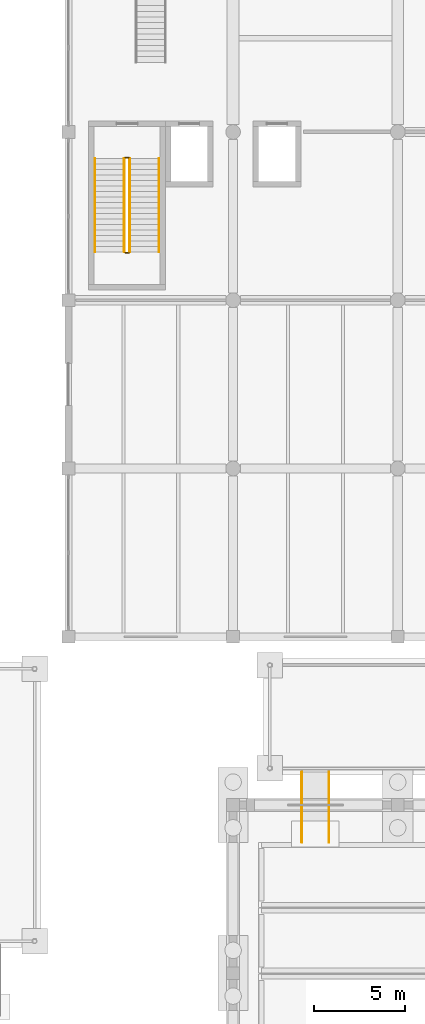
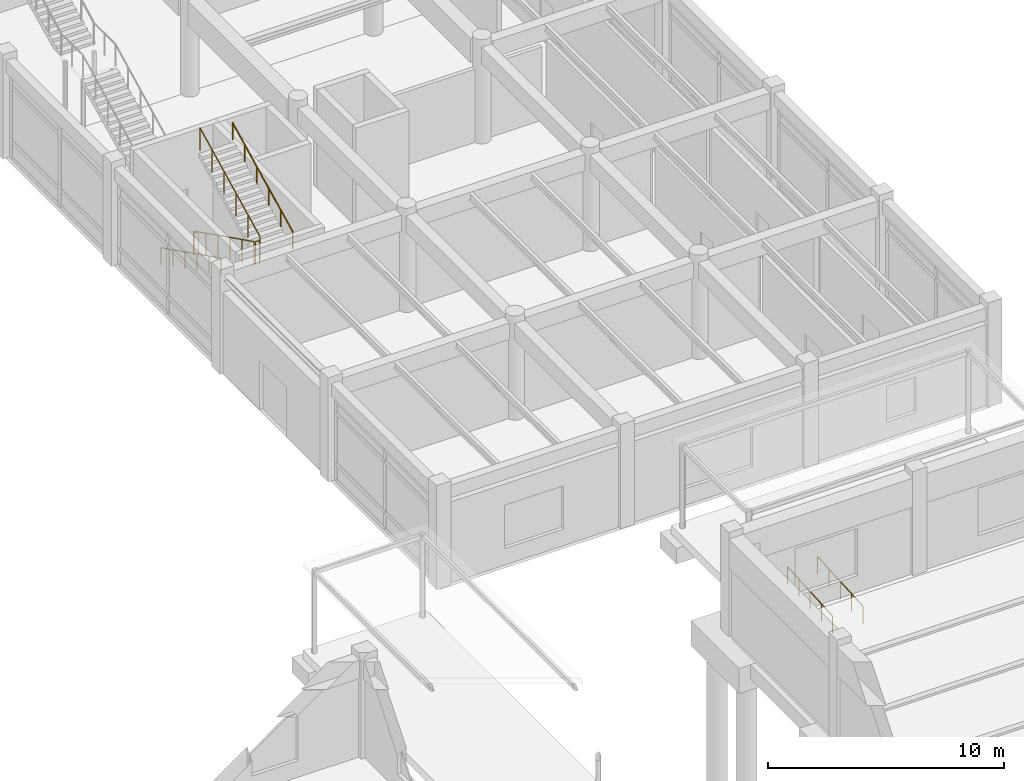
# One storey, part 69 of 76: 8 railings.
"""IFC4 building model written with IfcOpenShell, lengths in metres."""

from ifc_helpers import new_model, si_unit, direction, frame, origin, origin_2d, place, context, subcontext, project, spatial, circle, extrude, material, type_object, element, save


model = new_model("IFC4")

# Units and contexts
model_context = context("Model", 3, precision=1e-05, world=origin(), true_north=direction((0.0, 1.0)))
body_context = subcontext(model_context, "Body", "Model", "MODEL_VIEW")
ifc_project = project(units=[si_unit("LENGTHUNIT", "METRE"), si_unit("AREAUNIT", "SQUARE_METRE"), si_unit("VOLUMEUNIT", "CUBIC_METRE"), si_unit("PLANEANGLEUNIT", "RADIAN"), si_unit("MASSUNIT", "GRAM", prefix="KILO")], contexts=[model_context])

# Site, building, storey
site_placement = place(None, origin())
site = spatial("IfcSite", under=ifc_project, at=site_placement, CompositionType="ELEMENT")
building_placement = place(site_placement, origin())
building = spatial("IfcBuilding", under=site, at=building_placement, Name="Bozkorgan Art Gallery", CompositionType="ELEMENT")
storey_placement = place(building_placement, origin())
storey = spatial("IfcBuildingStorey", under=building, at=storey_placement, Name="L00", CompositionType="ELEMENT", Elevation=0.0)

# Railings
ifc_material = material(Name="Steel S355J2", Category="steel")
railing_type_1 = type_object("IfcRailingType", Name="RAIL-GRD-115", PredefinedType="GUARDRAIL", material=ifc_material)
railing_1_placement = place(storey_placement, frame((77.050048828125, 64.550048828125, 0.14990234375)))
element("IfcRailing", 1, at=railing_1_placement, inside=storey, type_object=railing_type_1, Name="L00 ST2 stair guard 1", PredefinedType="GUARDRAIL", context=body_context, shape_type="SweptSolid", body=[
    extrude(circle(Radius=0.02392578125, at=origin_2d()), frame((0.0, 0.0, 1.17578125), z_axis=(0.0, -0.894427191, 0.4472135955), x_axis=(1.0, 0.0, 0.0)), (0.0, 0.0, 1.0), 5.7021484375),
    extrude(circle(Radius=0.02099609375, at=origin_2d()), origin(), (0.0, 0.0, 1.0), 1.15185546875),
    extrude(circle(Radius=0.02099609375, at=origin_2d()), frame((0.0, -1.02001953125, 0.510009765625)), (0.0, 0.0, 1.0), 1.15185546875),
    extrude(circle(Radius=0.02099609375, at=origin_2d()), frame((0.0, -2.0400390625, 1.02001953125)), (0.0, 0.0, 1.0), 1.15185546875),
    extrude(circle(Radius=0.02099609375, at=origin_2d()), frame((0.0, -3.06005859375, 1.530029296875)), (0.0, 0.0, 1.0), 1.15185546875),
    extrude(circle(Radius=0.02099609375, at=origin_2d()), frame((0.0, -4.080078125, 2.0400390625)), (0.0, 0.0, 1.0), 1.15185546875),
    extrude(circle(Radius=0.02099609375, at=origin_2d()), frame((0.0, -5.10009765625, 2.550048828125)), (0.0, 0.0, 1.0), 1.15185546875),
])
railing_2_placement = place(storey_placement, frame((77.10009765625, 59.39990234375, 2.699951171875)))
element("IfcRailing", 2, at=railing_2_placement, inside=storey, type_object=railing_type_1, Name="L00 ST2 stair guard 2", PredefinedType="GUARDRAIL", context=body_context, shape_type="SweptSolid", body=[
    extrude(circle(Radius=0.02392578125, at=origin_2d()), frame((0.0, 0.0, 1.17578125), z_axis=(1.0, 0.0, 0.0), x_axis=(0.0, 1.0, 0.0)), (0.0, 0.0, 1.0), 0.199951171875),
    extrude(circle(Radius=0.02099609375, at=origin_2d()), origin(), (0.0, 0.0, 1.0), 1.15185546875),
    extrude(circle(Radius=0.02099609375, at=origin_2d()), frame((0.199951171875, 0.0, 0.0)), (0.0, 0.0, 1.0), 1.15185546875),
])
railing_3_placement = place(storey_placement, frame((77.35009765625, 59.449951171875, 2.85009765625)))
element("IfcRailing", 3, at=railing_3_placement, inside=storey, type_object=railing_type_1, Name="L00 ST2 stair guard 3", PredefinedType="GUARDRAIL", context=body_context, shape_type="SweptSolid", body=[
    extrude(circle(Radius=0.02392578125, at=origin_2d()), frame((0.0, 0.0, 1.17578125), z_axis=(0.0, 0.89444431709, 0.44717934168), x_axis=(-1.0, 0.0, 0.0)), (0.0, 0.0, 1.0), 5.701904296875),
    extrude(circle(Radius=0.02099609375, at=origin_2d()), origin(), (0.0, 0.0, 1.0), 1.15185546875),
    extrude(circle(Radius=0.02099609375, at=origin_2d()), frame((0.0, 1.02001953125, 0.510009765625)), (0.0, 0.0, 1.0), 1.15185546875),
    extrude(circle(Radius=0.02099609375, at=origin_2d()), frame((0.0, 2.0400390625, 1.02001953125)), (0.0, 0.0, 1.0), 1.15185546875),
    extrude(circle(Radius=0.02099609375, at=origin_2d()), frame((0.0, 3.06005859375, 1.52978515625)), (0.0, 0.0, 1.0), 1.15185546875),
    extrude(circle(Radius=0.02099609375, at=origin_2d()), frame((0.0, 4.080078125, 2.039794921875)), (0.0, 0.0, 1.0), 1.15185546875),
    extrude(circle(Radius=0.02099609375, at=origin_2d()), frame((0.0, 5.10009765625, 2.5498046875)), (0.0, 0.0, 1.0), 1.15185546875),
])
railing_4_placement = place(storey_placement, frame((77.10009765625, 64.60009765625, 0.0)))
element("IfcRailing", 4, at=railing_4_placement, inside=storey, type_object=railing_type_1, Name="L00 ST2 stair guard 4", PredefinedType="GUARDRAIL", context=body_context, shape_type="SweptSolid", body=[
    extrude(circle(Radius=0.02392578125, at=origin_2d()), frame((0.0, 0.0, 1.17578125), z_axis=(1.0, 0.0, 0.0), x_axis=(0.0, 1.0, 0.0)), (0.0, 0.0, 1.0), 0.199951171875),
    extrude(circle(Radius=0.02099609375, at=origin_2d()), origin(), (0.0, 0.0, 1.0), 1.15185546875),
    extrude(circle(Radius=0.02099609375, at=origin_2d()), frame((0.199951171875, 0.0, 0.0)), (0.0, 0.0, 1.0), 1.15185546875),
])
railing_type_2 = type_object("IfcRailingType", Name="RAIL-HND-092", PredefinedType="HANDRAIL", material=ifc_material)
railing_5_placement = place(storey_placement, frame((75.449951171875, 64.550048828125, 0.14990234375)))
element("IfcRailing", 5, at=railing_5_placement, inside=storey, type_object=railing_type_2, Name="L00 ST2 stair handrail 1", PredefinedType="HANDRAIL", context=body_context, shape_type="SweptSolid", body=[
    extrude(circle(Radius=0.02392578125, at=origin_2d()), frame((0.0, 0.0, 0.8759765625), z_axis=(0.0, -0.894427191, 0.4472135955), x_axis=(1.0, 0.0, 0.0)), (0.0, 0.0, 1.0), 5.7021484375),
    extrude(circle(Radius=0.02099609375, at=origin_2d()), origin(), (0.0, 0.0, 1.0), 0.851806640625),
    extrude(circle(Radius=0.02099609375, at=origin_2d()), frame((0.0, -1.02001953125, 0.510009765625)), (0.0, 0.0, 1.0), 0.851806640625),
    extrude(circle(Radius=0.02099609375, at=origin_2d()), frame((0.0, -2.0400390625, 1.02001953125)), (0.0, 0.0, 1.0), 0.851806640625),
    extrude(circle(Radius=0.02099609375, at=origin_2d()), frame((0.0, -3.06005859375, 1.530029296875)), (0.0, 0.0, 1.0), 0.851806640625),
    extrude(circle(Radius=0.02099609375, at=origin_2d()), frame((0.0, -4.080078125, 2.0400390625)), (0.0, 0.0, 1.0), 0.851806640625),
    extrude(circle(Radius=0.02099609375, at=origin_2d()), frame((0.0, -5.10009765625, 2.550048828125)), (0.0, 0.0, 1.0), 0.851806640625),
])
railing_6_placement = place(storey_placement, frame((78.949951171875, 59.449951171875, 2.85009765625)))
element("IfcRailing", 6, at=railing_6_placement, inside=storey, type_object=railing_type_2, Name="L00 ST2 stair handrail 2", PredefinedType="HANDRAIL", context=body_context, shape_type="SweptSolid", body=[
    extrude(circle(Radius=0.02392578125, at=origin_2d()), frame((0.0, 0.0, 0.8759765625), z_axis=(0.0, 0.89444431709, 0.44717934168), x_axis=(-1.0, 0.0, 0.0)), (0.0, 0.0, 1.0), 5.701904296875),
    extrude(circle(Radius=0.02099609375, at=origin_2d()), origin(), (0.0, 0.0, 1.0), 0.851806640625),
    extrude(circle(Radius=0.02099609375, at=origin_2d()), frame((0.0, 1.02001953125, 0.510009765625)), (0.0, 0.0, 1.0), 0.851806640625),
    extrude(circle(Radius=0.02099609375, at=origin_2d()), frame((0.0, 2.0400390625, 1.02001953125)), (0.0, 0.0, 1.0), 0.851806640625),
    extrude(circle(Radius=0.02099609375, at=origin_2d()), frame((0.0, 3.06005859375, 1.52978515625)), (0.0, 0.0, 1.0), 0.851806640625),
    extrude(circle(Radius=0.02099609375, at=origin_2d()), frame((0.0, 4.080078125, 2.039794921875)), (0.0, 0.0, 1.0), 0.851806640625),
    extrude(circle(Radius=0.02099609375, at=origin_2d()), frame((0.0, 5.10009765625, 2.5498046875)), (0.0, 0.0, 1.0), 0.851806640625),
])
railing_type_3 = type_object("IfcRailingType", Name="RAIL-RMP-01", PredefinedType="HANDRAIL", material=ifc_material)
for number, where, name in (
    (7, (86.760009765625, 27.14990234375, -0.239990234375), "Auditorium Walk Accessible Ramp handrail (L)"),
    (8, (88.239990234375, 27.14990234375, -0.239990234375), "Auditorium Walk Accessible Ramp handrail (R)"),
):
    element("IfcRailing", number, at=place(storey_placement, frame(where)), inside=storey, type_object=railing_type_3, Name=name, PredefinedType="HANDRAIL", context=body_context, shape_type="SweptSolid", body=[
        extrude(circle(Radius=0.02392578125, at=origin_2d()), frame((0.0, 0.0, 0.89599609375), z_axis=(0.0, 0.998052825374, 0.062374335771), x_axis=(-1.0, 0.0, 0.0)), (0.0, 0.0, 1.0), 3.84765625),
        extrude(circle(Radius=0.02099609375, at=origin_2d()), origin(), (0.0, 0.0, 1.0), 0.871826171875),
        extrude(circle(Radius=0.02099609375, at=origin_2d()), frame((0.0, 0.9599609375, 0.06005859375)), (0.0, 0.0, 1.0), 0.871826171875),
        extrude(circle(Radius=0.02099609375, at=origin_2d()), frame((0.0, 1.919921875, 0.1201171875)), (0.0, 0.0, 1.0), 0.871826171875),
        extrude(circle(Radius=0.02099609375, at=origin_2d()), frame((0.0, 2.880126953125, 0.179931640625)), (0.0, 0.0, 1.0), 0.871826171875),
        extrude(circle(Radius=0.02099609375, at=origin_2d()), frame((0.0, 3.840087890625, 0.239990234375)), (0.0, 0.0, 1.0), 0.871826171875),
    ])

save(model, "model.ifc")
